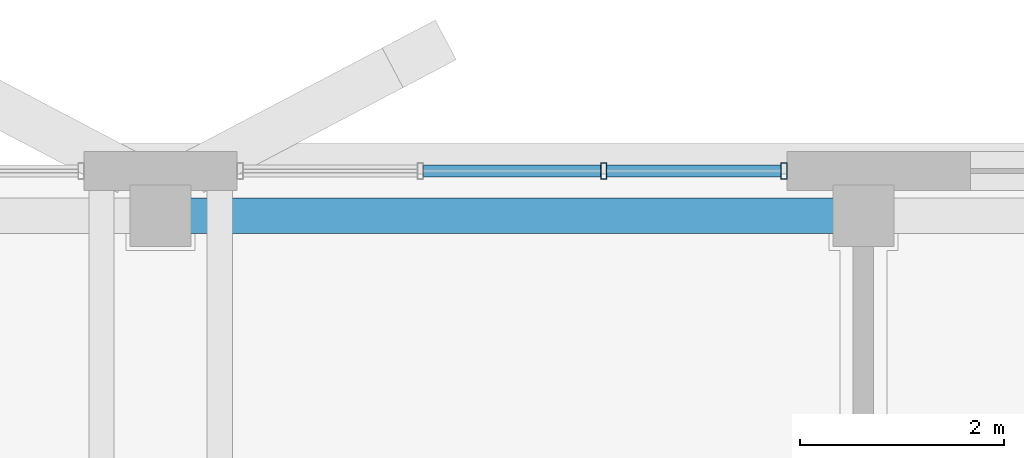
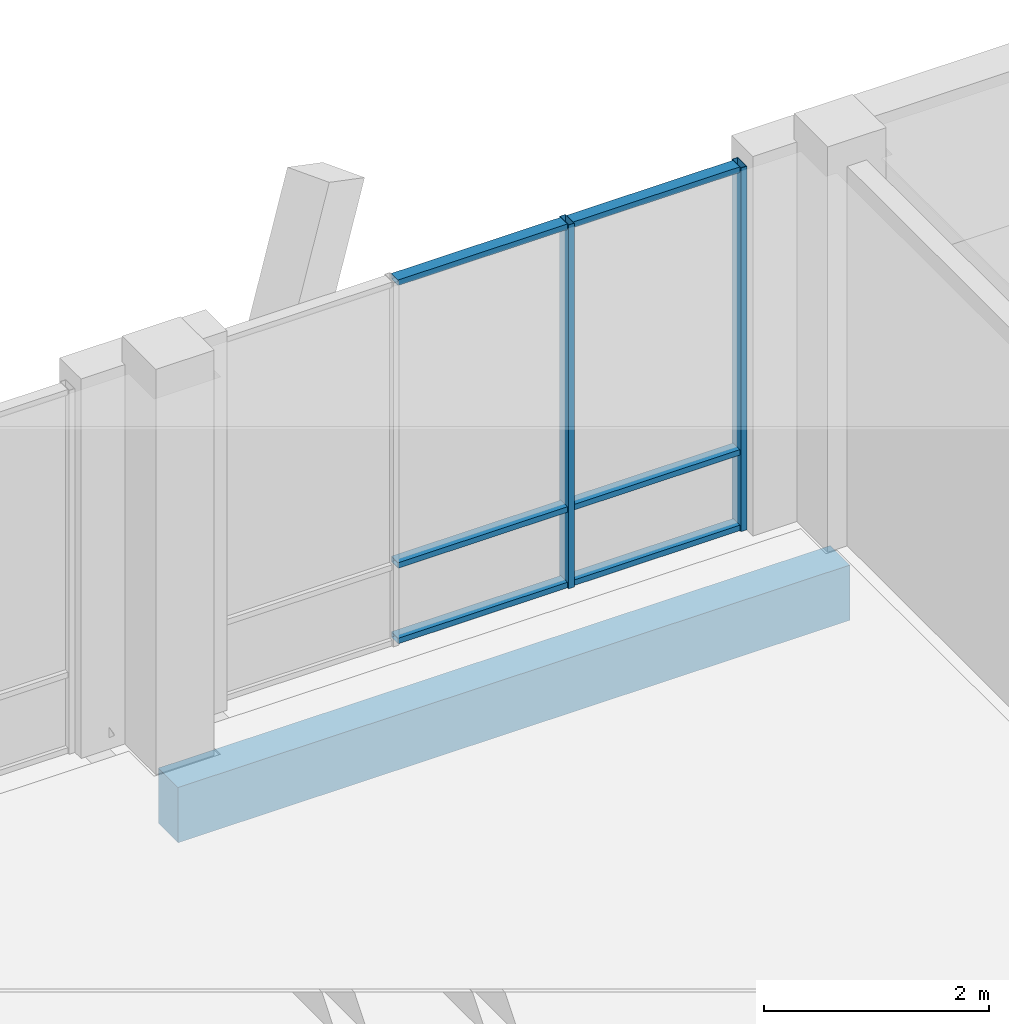
# One storey, part 108 of 233: 8 members, 1 beam, 1 element without a shape of its own.
"""IFC4 building model written with IfcOpenShell, lengths in metres."""

from ifc_helpers import new_model, si_unit, direction, frame, origin, origin_2d, place, context, subcontext, project, spatial, rectangle, hollow_rectangle, extrude, material, material_profile, profile_set, type_object, element, aggregate, save


model = new_model("IFC4")

# Units and contexts
model_context = context("Model", 3, precision=1e-05, world=origin(), true_north=direction((0.0, 1.0)))
body_context = subcontext(model_context, "Body", "Model", "MODEL_VIEW")
ifc_project = project(units=[si_unit("LENGTHUNIT", "METRE"), si_unit("AREAUNIT", "SQUARE_METRE"), si_unit("VOLUMEUNIT", "CUBIC_METRE"), si_unit("PLANEANGLEUNIT", "RADIAN"), si_unit("MASSUNIT", "GRAM", prefix="KILO")], contexts=[model_context])

# Site, building, storey
site_placement = place(None, origin())
site = spatial("IfcSite", under=ifc_project, at=site_placement, CompositionType="ELEMENT")
building_placement = place(site_placement, origin())
building = spatial("IfcBuilding", under=site, at=building_placement, Name="Zavelmont Quarter", CompositionType="ELEMENT")
storey_placement = place(building_placement, origin())
storey = spatial("IfcBuildingStorey", under=building, at=storey_placement, Name="L00", CompositionType="ELEMENT", Elevation=0.0)

# Beam
ifc_material_1 = material(Name="Concrete C35/45", Category="concrete")
ifc_material_profile_1 = material_profile(ifc_material_1, rectangle(XDim=0.35009765625, YDim=0.60009765625, at=origin_2d()), Name="RC350X600")
ifc_profile_set_1 = profile_set([ifc_material_profile_1], Name="Concrete C35/45")
beam_type = type_object("IfcBeamType", Name="BM01", PredefinedType="SPANDREL", material=ifc_profile_set_1)
beam_placement = place(storey_placement, frame((20.699951171875, 115.56005859375, -0.6201171875), z_axis=(1.0, 0.0, 0.0), x_axis=(0.0, 1.0, 0.0)))
element("IfcBeam", 1, at=beam_placement, inside=storey, type_object=beam_type, Name="L00 beam BM01 4/S to 5/S", PredefinedType="SPANDREL", context=body_context, shape_type="SweptSolid", body=[
    extrude(rectangle(XDim=0.35009765625, YDim=0.60009765625, at=origin_2d()), origin(), (0.0, 0.0, 1.0), 6.900146484375),
])

# Curtain wall, members
ifc_material_2 = material(Name="Thermally broken aluminium and double low-E safety glazing", Category="aluminium")
curtain_wall_type = type_object("IfcCurtainWallType", Name="CW-540X395", PredefinedType="NOTDEFINED", material=ifc_material_2)
curtain_wall_placement = place(storey_placement, origin())
curtain_wall = element("IfcCurtainWall", 2, at=curtain_wall_placement, inside=storey, type_object=curtain_wall_type, Name="L00 unitised curtain wall CW-540X395", PredefinedType="NOTDEFINED")
ifc_material_3 = material(Name="Powder-coated aluminium EN AW-6063-T6", Category="aluminium")
ifc_material_profile_2 = material_profile(ifc_material_3, hollow_rectangle(XDim=0.06005859375, YDim=0.159912109375, WallThickness=0.00390625, at=origin_2d()), Name="CWM60X160")
ifc_profile_set_2 = profile_set([ifc_material_profile_2], Name="Powder-coated aluminium EN AW-6063-T6")
member_type_1 = type_object("IfcMemberType", Name="CWM01", PredefinedType="MULLION", material=ifc_profile_set_2)
member_1_placement = place(storey_placement, frame((25.050048828125, 116.0, 0.0), z_axis=(0.0, 0.0, 1.0), x_axis=(1.0, 0.0, 0.0)))
member_1 = element("IfcMember", 3, at=member_1_placement, type_object=member_type_1, Name="CW-540X395 mullion 3", PredefinedType="MULLION", context=body_context, shape_type="SweptSolid", body=[
    extrude(hollow_rectangle(XDim=0.06005859375, YDim=0.159912109375, WallThickness=0.00390625, at=origin_2d()), origin(), (0.0, 0.0, 1.0), 3.949951171875),
])
member_2_placement = place(storey_placement, frame((26.820068359375, 116.0, 0.0), z_axis=(0.0, 0.0, 1.0), x_axis=(1.0, 0.0, 0.0)))
member_2 = element("IfcMember", 4, at=member_2_placement, type_object=member_type_1, Name="CW-540X395 mullion 4", PredefinedType="MULLION", context=body_context, shape_type="SweptSolid", body=[
    extrude(hollow_rectangle(XDim=0.06005859375, YDim=0.159912109375, WallThickness=0.00390625, at=origin_2d()), origin(), (0.0, 0.0, 1.0), 3.949951171875),
])
ifc_material_profile_3 = material_profile(ifc_material_3, hollow_rectangle(XDim=0.1201171875, YDim=0.06005859375, WallThickness=0.00390625, at=origin_2d()), Name="CWT60X120")
ifc_profile_set_3 = profile_set([ifc_material_profile_3], Name="Powder-coated aluminium EN AW-6063-T6")
member_type_2 = type_object("IfcMemberType", Name="CWT01", PredefinedType="NOTDEFINED", material=ifc_profile_set_3)
member_3_placement = place(storey_placement, frame((23.280029296875, 116.0, 0.030029296875), z_axis=(1.0, 0.0, 0.0), x_axis=(0.0, 1.0, 0.0)))
member_3 = element("IfcMember", 5, at=member_3_placement, type_object=member_type_2, Name="CW-540X395 transom 2.1", ObjectType="TRANSOM", PredefinedType="USERDEFINED", context=body_context, shape_type="SweptSolid", body=[
    extrude(hollow_rectangle(XDim=0.1201171875, YDim=0.06005859375, WallThickness=0.00390625, at=origin_2d()), origin(), (0.0, 0.0, 1.0), 1.739990234375),
])
member_4_placement = place(storey_placement, frame((23.280029296875, 116.0, 0.85009765625), z_axis=(1.0, 0.0, 0.0), x_axis=(0.0, 1.0, 0.0)))
member_4 = element("IfcMember", 6, at=member_4_placement, type_object=member_type_2, Name="CW-540X395 transom 2.2", ObjectType="TRANSOM", PredefinedType="USERDEFINED", context=body_context, shape_type="SweptSolid", body=[
    extrude(hollow_rectangle(XDim=0.1201171875, YDim=0.06005859375, WallThickness=0.00390625, at=origin_2d()), origin(), (0.0, 0.0, 1.0), 1.739990234375),
])
member_5_placement = place(storey_placement, frame((23.280029296875, 116.0, 3.919921875), z_axis=(1.0, 0.0, 0.0), x_axis=(0.0, 1.0, 0.0)))
member_5 = element("IfcMember", 7, at=member_5_placement, type_object=member_type_2, Name="CW-540X395 transom 2.3", ObjectType="TRANSOM", PredefinedType="USERDEFINED", context=body_context, shape_type="SweptSolid", body=[
    extrude(hollow_rectangle(XDim=0.1201171875, YDim=0.06005859375, WallThickness=0.00390625, at=origin_2d()), origin(), (0.0, 0.0, 1.0), 1.739990234375),
])
member_6_placement = place(storey_placement, frame((25.080078125, 116.0, 0.030029296875), z_axis=(1.0, 0.0, 0.0), x_axis=(0.0, 1.0, 0.0)))
member_6 = element("IfcMember", 8, at=member_6_placement, type_object=member_type_2, Name="CW-540X395 transom 3.1", ObjectType="TRANSOM", PredefinedType="USERDEFINED", context=body_context, shape_type="SweptSolid", body=[
    extrude(hollow_rectangle(XDim=0.1201171875, YDim=0.06005859375, WallThickness=0.00390625, at=origin_2d()), origin(), (0.0, 0.0, 1.0), 1.7099609375),
])
member_7_placement = place(storey_placement, frame((25.080078125, 116.0, 0.85009765625), z_axis=(1.0, 0.0, 0.0), x_axis=(0.0, 1.0, 0.0)))
member_7 = element("IfcMember", 9, at=member_7_placement, type_object=member_type_2, Name="CW-540X395 transom 3.2", ObjectType="TRANSOM", PredefinedType="USERDEFINED", context=body_context, shape_type="SweptSolid", body=[
    extrude(hollow_rectangle(XDim=0.1201171875, YDim=0.06005859375, WallThickness=0.00390625, at=origin_2d()), origin(), (0.0, 0.0, 1.0), 1.7099609375),
])
member_8_placement = place(storey_placement, frame((25.080078125, 116.0, 3.919921875), z_axis=(1.0, 0.0, 0.0), x_axis=(0.0, 1.0, 0.0)))
member_8 = element("IfcMember", 10, at=member_8_placement, type_object=member_type_2, Name="CW-540X395 transom 3.3", ObjectType="TRANSOM", PredefinedType="USERDEFINED", context=body_context, shape_type="SweptSolid", body=[
    extrude(hollow_rectangle(XDim=0.1201171875, YDim=0.06005859375, WallThickness=0.00390625, at=origin_2d()), origin(), (0.0, 0.0, 1.0), 1.7099609375),
])
aggregate(curtain_wall, [member_1, member_2, member_3, member_4, member_5, member_6, member_7, member_8])

save(model, "model.ifc")
